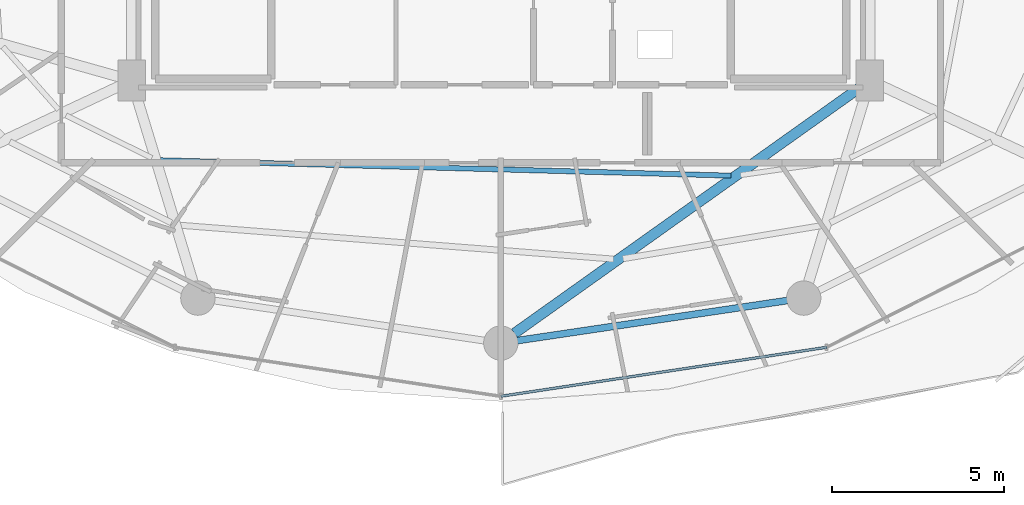
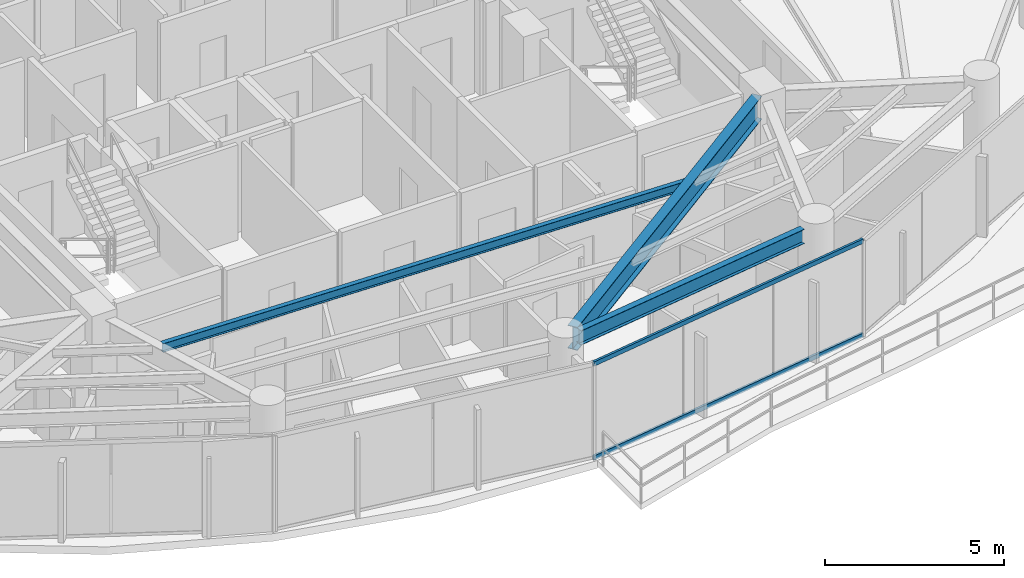
# One storey, part 7 of 31: 3 beams, 2 members, 1 element without a shape of its own.
"""IFC4 building model written with IfcOpenShell, lengths in metres."""

from ifc_helpers import new_model, si_unit, direction, frame, origin, origin_2d, place, context, subcontext, project, spatial, hollow_rectangle, i_section, extrude, material, material_profile, profile_set, type_object, element, aggregate, save


model = new_model("IFC4")

# Units and contexts
model_context = context("Model", 3, precision=1e-05, world=origin(), true_north=direction((0.0, 1.0)))
body_context = subcontext(model_context, "Body", "Model", "MODEL_VIEW")
ifc_project = project(units=[si_unit("LENGTHUNIT", "METRE"), si_unit("AREAUNIT", "SQUARE_METRE"), si_unit("VOLUMEUNIT", "CUBIC_METRE"), si_unit("PLANEANGLEUNIT", "RADIAN"), si_unit("MASSUNIT", "GRAM", prefix="KILO")], contexts=[model_context])

# Site, building, storey
site_placement = place(None, origin())
site = spatial("IfcSite", under=ifc_project, at=site_placement, CompositionType="ELEMENT")
building_placement = place(site_placement, origin())
building = spatial("IfcBuilding", under=site, at=building_placement, Name="Vorneva Point Tower", CompositionType="ELEMENT")
storey_placement = place(building_placement, frame((0.0, 0.0, 132.60009765625)))
storey = spatial("IfcBuildingStorey", under=building, at=storey_placement, Name="L35", CompositionType="ELEMENT", Elevation=132.60009765625)

# Beams
ifc_material_1 = material(Name="Steel S355", Category="steel")
ifc_material_profile_1 = material_profile(ifc_material_1, i_section(OverallWidth=0.300048828125, OverallDepth=0.7880859375, WebThickness=0.014404296875, FlangeThickness=0.02197265625, at=origin_2d()), Name="80Sh1")
ifc_profile_set_1 = profile_set([ifc_material_profile_1], Name="Steel S355")
beam_type_1 = type_object("IfcBeamType", Name="BM-GRD-80Sh1", PredefinedType="USERDEFINED", material=ifc_profile_set_1)
beam_1_placement = place(storey_placement, frame((38.397705078125, 9.0830078125, 2.845947265625), z_axis=(0.814751382529, 0.579810473057, 0.0), x_axis=(-0.579810473057, 0.814751382529, 0.0)))
element("IfcBeam", 1, at=beam_1_placement, inside=storey, type_object=beam_type_1, Name="L35 Radial Primary Girder 13", ObjectType="GIRDER", PredefinedType="USERDEFINED", context=body_context, shape_type="SweptSolid", body=[
    extrude(i_section(OverallWidth=0.300048828125, OverallDepth=0.7880859375, WebThickness=0.014404296875, FlangeThickness=0.02197265625, at=origin_2d()), origin(), (0.0, 0.0, 1.0), 12.365966796875),
])
ifc_material_profile_2 = material_profile(ifc_material_1, i_section(OverallWidth=0.14892578125, OverallDepth=0.298095703125, WebThickness=0.005615234375, FlangeThickness=0.008056640625, at=origin_2d()), Name="30B1")
ifc_profile_set_2 = profile_set([ifc_material_profile_2], Name="Steel S355")
beam_type_2 = type_object("IfcBeamType", Name="BM-JST-30B1", PredefinedType="JOIST", material=ifc_profile_set_2)
beam_2_placement = place(storey_placement, frame((28.0947265625, 14.12353515625, 3.0908203125), z_axis=(0.999636212652, -0.02697113929, 0.0), x_axis=(0.02697113929, 0.999636212652, 0.0)))
element("IfcBeam", 2, at=beam_2_placement, inside=storey, type_object=beam_type_2, Name="L35 Secondary Floor Beam 2.12", PredefinedType="JOIST", context=body_context, shape_type="SweptSolid", body=[
    extrude(i_section(OverallWidth=0.14892578125, OverallDepth=0.298095703125, WebThickness=0.005615234375, FlangeThickness=0.008056640625, at=origin_2d()), origin(), (0.0, 0.0, 1.0), 16.619384765625),
])
ifc_material_profile_3 = material_profile(ifc_material_1, i_section(OverallWidth=0.199951171875, OverallDepth=0.491943359375, WebThickness=0.0087890625, FlangeThickness=0.011962890625, at=origin_2d()), Name="50B1")
ifc_profile_set_3 = profile_set([ifc_material_profile_3], Name="Steel S355")
beam_type_3 = type_object("IfcBeamType", Name="BM-SPN-50B1", PredefinedType="SPANDREL", material=ifc_profile_set_3)
beam_3_placement = place(storey_placement, frame((38.479736328125, 8.87109375, 2.993896484375), z_axis=(0.989161199046, 0.146833655211, 0.0), x_axis=(-0.146833655211, 0.989161199046, 0.0)))
element("IfcBeam", 3, at=beam_3_placement, inside=storey, type_object=beam_type_3, Name="L35 Perimeter Spandrel Ring Beam 13", PredefinedType="SPANDREL", context=body_context, shape_type="SweptSolid", body=[
    extrude(i_section(OverallWidth=0.199951171875, OverallDepth=0.491943359375, WebThickness=0.0087890625, FlangeThickness=0.011962890625, at=origin_2d()), origin(), (0.0, 0.0, 1.0), 7.94775390625),
])

# Curtain wall, members
ifc_material_2 = material(Name="Pale anodised aluminium", Category="aluminium")
curtain_wall_type = type_object("IfcCurtainWallType", Name="CW-RES-SYS", PredefinedType="NOTDEFINED", material=ifc_material_2)
curtain_wall_placement = place(storey_placement, origin())
curtain_wall = element("IfcCurtainWall", 4, at=curtain_wall_placement, inside=storey, type_object=curtain_wall_type, Name="L35 Unitised Curtain Wall CW-L35-R04", PredefinedType="NOTDEFINED")
ifc_material_profile_4 = material_profile(ifc_material_2, hollow_rectangle(XDim=0.074951171875, YDim=0.14990234375, WallThickness=0.00390625, at=origin_2d()), Name="AL-TRN 150x75x4")
ifc_profile_set_4 = profile_set([ifc_material_profile_4], Name="Pale anodised aluminium")
member_type = type_object("IfcMemberType", Name="CW-TRN-150", PredefinedType="USERDEFINED", material=ifc_profile_set_4)
member_1_placement = place(storey_placement, frame((38.0, 7.25, 0.02001953125), z_axis=(0.988880117727, 0.148714870687, 0.0), x_axis=(-0.148714870687, 0.988880117727, 0.0)))
member_1 = element("IfcMember", 5, at=member_1_placement, type_object=member_type, Name="CW-L35-R04 Transom 03.1", ObjectType="TRANSOM", PredefinedType="USERDEFINED", context=body_context, shape_type="SweptSolid", body=[
    extrude(hollow_rectangle(XDim=0.074951171875, YDim=0.14990234375, WallThickness=0.00390625, at=origin_2d()), origin(), (0.0, 0.0, 1.0), 9.59716796875),
])
member_2_placement = place(storey_placement, frame((38.0, 7.25, 3.219970703125), z_axis=(0.988880117727, 0.148714870687, 0.0), x_axis=(-0.148714870687, 0.988880117727, 0.0)))
member_2 = element("IfcMember", 6, at=member_2_placement, type_object=member_type, Name="CW-L35-R04 Transom 03.2", ObjectType="TRANSOM", PredefinedType="USERDEFINED", context=body_context, shape_type="SweptSolid", body=[
    extrude(hollow_rectangle(XDim=0.074951171875, YDim=0.14990234375, WallThickness=0.00390625, at=origin_2d()), origin(), (0.0, 0.0, 1.0), 9.59716796875),
])
aggregate(curtain_wall, [member_1, member_2])

save(model, "model.ifc")
